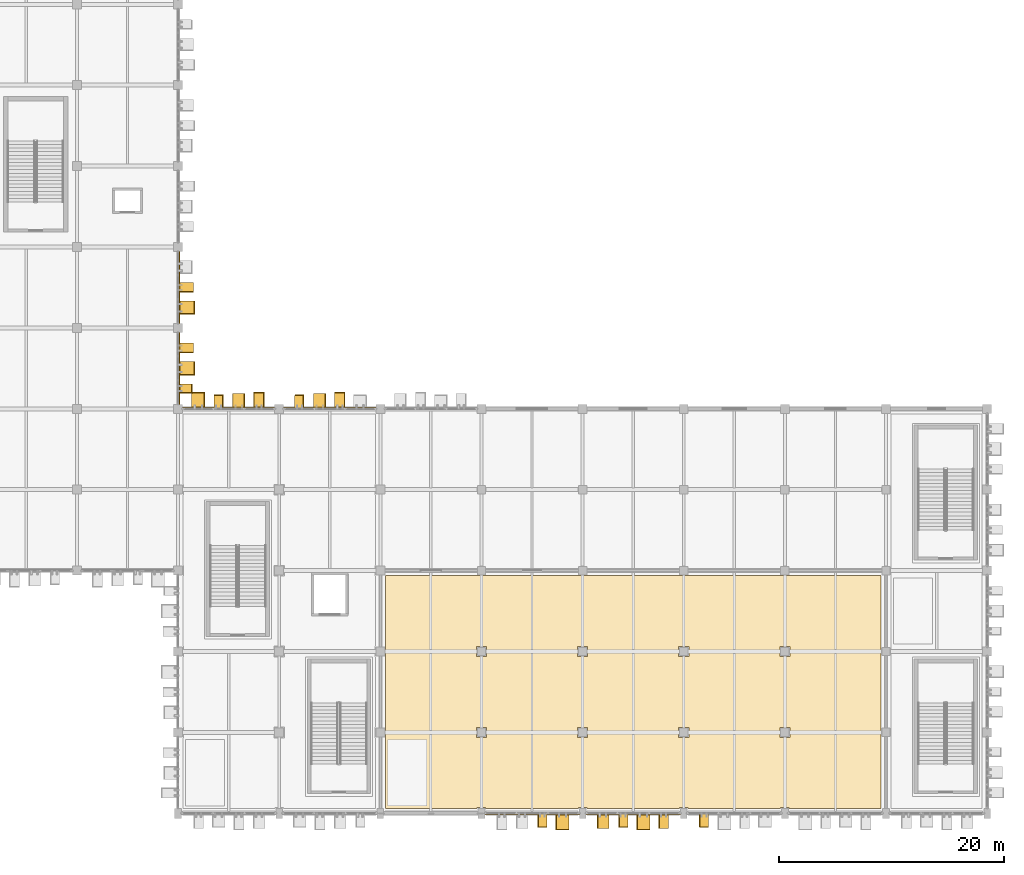
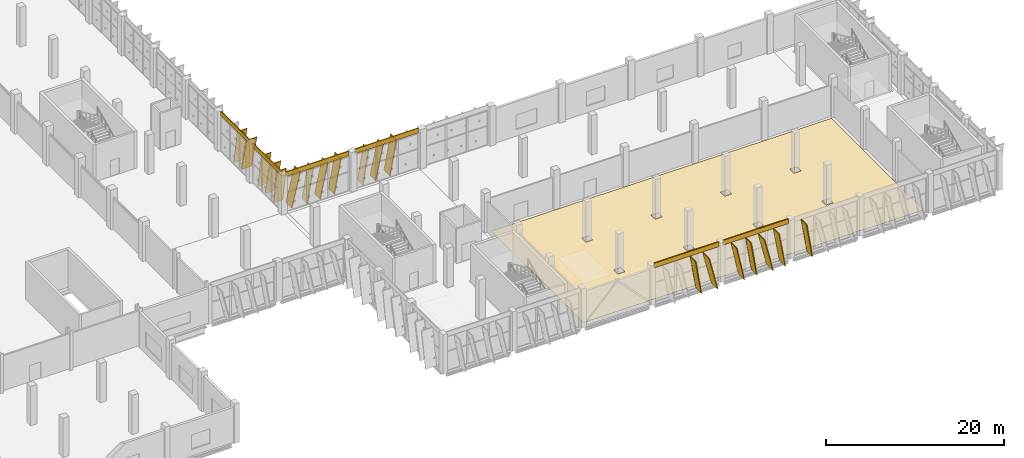
# One storey, part 118 of 137: 26 coverings, 19 shading devices.
"""IFC4 building model written with IfcOpenShell, lengths in metres."""

from ifc_helpers import new_model, si_unit, direction, frame, origin, origin_2d, place, context, subcontext, project, spatial, polyline, rectangle, outline, extrude, material, layer, layer_set, material_profile, profile_set, type_object, element, save


model = new_model("IFC4")

# Units and contexts
model_context = context("Model", 3, precision=1e-05, world=origin(), true_north=direction((0.0, 1.0)))
body_context = subcontext(model_context, "Body", "Model", "MODEL_VIEW")
ifc_project = project(units=[si_unit("LENGTHUNIT", "METRE"), si_unit("AREAUNIT", "SQUARE_METRE"), si_unit("VOLUMEUNIT", "CUBIC_METRE"), si_unit("PLANEANGLEUNIT", "RADIAN"), si_unit("MASSUNIT", "GRAM", prefix="KILO")], contexts=[model_context])

# Site, building, storey
site_placement = place(None, origin())
site = spatial("IfcSite", under=ifc_project, at=site_placement, CompositionType="ELEMENT")
building_placement = place(site_placement, origin())
building = spatial("IfcBuilding", under=site, at=building_placement, Name="Celestram Park Convention Centre", CompositionType="ELEMENT")
storey_placement = place(building_placement, origin())
storey = spatial("IfcBuildingStorey", under=building, at=storey_placement, Name="L00", CompositionType="ELEMENT", Elevation=0.0)

# Coverings
ifc_material_1 = material(Name="Anodised Bronze Aluminium Spandrel Cladding", Category="aluminium")
ifc_layer_1 = layer(ifc_material_1, 0.050048828125)
ifc_layer_set_1 = layer_set([ifc_layer_1], Name="Anodised Bronze Aluminium Spandrel Cladding")
covering_type_1 = type_object("IfcCoveringType", Name="ARC-COV-CLD060", PredefinedType="CLADDING", material=ifc_layer_set_1)
for number, where, z_axis, x_axis, name in (
    (1, (144.080078125, 46.800048828125, 4.840087890625), (0.0, 0.0, 1.0), (0.0, -1.0, 0.0), "Bronze spandrel cladding CL-L00-016"),
    (2, (144.080078125, 39.60009765625, 4.840087890625), (0.0, 0.0, 1.0), (0.0, -1.0, 0.0), "Bronze spandrel cladding CL-L00-017"),
):
    element("IfcCovering", number, at=place(storey_placement, frame(where, z_axis=z_axis, x_axis=x_axis)), inside=storey, type_object=covering_type_1, Name=name, PredefinedType="CLADDING", context=body_context, shape_type="SweptSolid", body=[
        extrude(rectangle(XDim=6.404052734375, YDim=0.1201171875, at=origin_2d()), origin(), (0.0, 0.0, 1.0), 0.56005859375),
    ])
for number, where, z_axis, x_axis, name in (
    (3, (148.5, 36.080078125, 4.76708984375), (0.0, 0.0, 1.0), (1.0, 0.0, 0.0), "Bronze spandrel cladding CL-L00-018"),
    (4, (157.5, 36.080078125, 4.76708984375), (0.0, 0.0, 1.0), (1.0, 0.0, 0.0), "Bronze spandrel cladding CL-L00-019"),
):
    element("IfcCovering", number, at=place(storey_placement, frame(where, z_axis=z_axis, x_axis=x_axis)), inside=storey, type_object=covering_type_1, Name=name, PredefinedType="CLADDING", context=body_context, shape_type="SweptSolid", body=[
        extrude(rectangle(XDim=8.2041015625, YDim=0.1201171875, at=origin_2d()), origin(), (0.0, 0.0, 1.0), 0.633056640625),
    ])
for number, where, z_axis, x_axis, name in (
    (5, (184.5, -0.080078125, 4.76708984375), (0.0, 0.0, 1.0), (-1.0, 0.0, 0.0), "Bronze spandrel cladding CL-L00-029"),
    (6, (175.5, -0.080078125, 4.76708984375), (0.0, 0.0, 1.0), (-1.0, 0.0, 0.0), "Bronze spandrel cladding CL-L00-030"),
):
    element("IfcCovering", number, at=place(storey_placement, frame(where, z_axis=z_axis, x_axis=x_axis)), inside=storey, type_object=covering_type_1, Name=name, PredefinedType="CLADDING", context=body_context, shape_type="SweptSolid", body=[
        extrude(rectangle(XDim=8.404052734375, YDim=0.1201171875, at=origin_2d()), origin(), (0.0, 0.0, 1.0), 0.633056640625),
    ])
ifc_material_2 = material(Name="Timber-Toned Anodised Aluminium Alloy 6063-T6", Category="wood")
ifc_material_profile_1 = material_profile(ifc_material_2, rectangle(XDim=1.1201171875, YDim=0.090087890625, at=origin_2d()), Name="REED1120X90")
ifc_profile_set_1 = profile_set([ifc_material_profile_1], Name="Timber-Toned Anodised Aluminium Alloy 6063-T6")
covering_type_2 = type_object("IfcCoveringType", Name="ARC-COV-FIN1120", PredefinedType="CLADDING", material=ifc_profile_set_1)
covering_1_placement = place(storey_placement, frame((144.639892578125, 38.1845703125, 0.035888671875), z_axis=(0.0, -0.159878683359, 0.987136670683), x_axis=(1.0, 0.0, 0.0)))
element("IfcCovering", 7, at=covering_1_placement, inside=storey, type_object=covering_type_2, Name="Leaning timber-toned reed fin RFN-L00-0055", PredefinedType="CLADDING", context=body_context, shape_type="SweptSolid", body=[
    extrude(rectangle(XDim=1.1201171875, YDim=0.090087890625, at=origin_2d()), origin(), (0.0, 0.0, 1.0), 4.81005859375),
])
for number, where, z_axis, x_axis, name in (
    (8, (147.22119140625, 36.639892578125, 0.035400390625), (0.159925930182, 0.0, 0.98712901733), (0.0, 1.0, 0.0), "Leaning timber-toned reed fin RFN-L00-0057"),
    (9, (154.42138671875, 36.639892578125, 0.035400390625), (0.159875708608, 0.0, 0.987137152475), (0.0, 1.0, 0.0), "Leaning timber-toned reed fin RFN-L00-0060"),
    (10, (191.1787109375, -0.639892578125, 0.035400390625), (-0.159875708608, 0.0, 0.987137152475), (0.0, -1.0, 0.0), "Leaning timber-toned reed fin RFN-L00-0094"),
    (11, (183.978759765625, -0.639892578125, 0.035400390625), (-0.159925930182, 0.0, 0.98712901733), (0.0, -1.0, 0.0), "Leaning timber-toned reed fin RFN-L00-0097"),
    (12, (176.77880859375, -0.639892578125, 0.035400390625), (-0.159925930182, 0.0, 0.98712901733), (0.0, -1.0, 0.0), "Leaning timber-toned reed fin RFN-L00-0100"),
):
    element("IfcCovering", number, at=place(storey_placement, frame(where, z_axis=z_axis, x_axis=x_axis)), inside=storey, type_object=covering_type_2, Name=name, PredefinedType="CLADDING", context=body_context, shape_type="SweptSolid", body=[
        extrude(rectangle(XDim=1.1201171875, YDim=0.090087890625, at=origin_2d()), origin(), (0.0, 0.0, 1.0), 4.737060546875),
    ])
ifc_material_profile_2 = material_profile(ifc_material_2, rectangle(XDim=1.280029296875, YDim=0.090087890625, at=origin_2d()), Name="REED1280X90")
ifc_profile_set_2 = profile_set([ifc_material_profile_2], Name="Timber-Toned Anodised Aluminium Alloy 6063-T6")
covering_type_3 = type_object("IfcCoveringType", Name="ARC-COV-FIN1280", PredefinedType="CLADDING", material=ifc_profile_set_2)
for number, where, z_axis, x_axis, name in (
    (13, (144.719970703125, 47.20947265625, 0.0400390625), (0.0, -0.170240052999, 0.985402620432), (1.0, 0.0, 0.0), "Leaning timber-toned reed fin RFN-L00-0051"),
    (14, (144.719970703125, 41.809326171875, 0.0400390625), (0.0, -0.170240052999, 0.985402620432), (1.0, 0.0, 0.0), "Leaning timber-toned reed fin RFN-L00-0053"),
):
    element("IfcCovering", number, at=place(storey_placement, frame(where, z_axis=z_axis, x_axis=x_axis)), inside=storey, type_object=covering_type_3, Name=name, PredefinedType="CLADDING", context=body_context, shape_type="SweptSolid", body=[
        extrude(rectangle(XDim=1.280029296875, YDim=0.090087890625, at=origin_2d()), origin(), (0.0, 0.0, 1.0), 4.81005859375),
    ])
for number, where, z_axis, x_axis, name in (
    (15, (148.903564453125, 36.719970703125, 0.0576171875), (0.209606521321, 0.0, 0.977785818173), (0.0, 1.0, 0.0), "Leaning timber-toned reed fin RFN-L00-0058"),
    (16, (156.103515625, 36.719970703125, 0.0576171875), (0.209606521321, 0.0, 0.977785818173), (0.0, 1.0, 0.0), "Leaning timber-toned reed fin RFN-L00-0061"),
    (17, (187.60302734375, -0.719970703125, 0.03955078125), (-0.170179599003, 0.0, 0.985413062671), (0.0, -1.0, 0.0), "Leaning timber-toned reed fin RFN-L00-0095"),
    (18, (182.29638671875, -0.719970703125, 0.0576171875), (-0.209606521321, 0.0, 0.977785818173), (0.0, -1.0, 0.0), "Leaning timber-toned reed fin RFN-L00-0098"),
):
    element("IfcCovering", number, at=place(storey_placement, frame(where, z_axis=z_axis, x_axis=x_axis)), inside=storey, type_object=covering_type_3, Name=name, PredefinedType="CLADDING", context=body_context, shape_type="SweptSolid", body=[
        extrude(rectangle(XDim=1.280029296875, YDim=0.090087890625, at=origin_2d()), origin(), (0.0, 0.0, 1.0), 4.737060546875),
    ])
ifc_material_profile_3 = material_profile(ifc_material_2, rectangle(XDim=1.419921875, YDim=0.090087890625, at=origin_2d()), Name="REED1420X90")
ifc_profile_set_3 = profile_set([ifc_material_profile_3], Name="Timber-Toned Anodised Aluminium Alloy 6063-T6")
covering_type_4 = type_object("IfcCoveringType", Name="ARC-COV-FIN1420", PredefinedType="CLADDING", material=ifc_profile_set_3)
for number, where, z_axis, x_axis, name in (
    (19, (144.7900390625, 45.57373046875, 0.074462890625), (0.0, -0.238556647816, 0.971128583547), (1.0, 0.0, 0.0), "Leaning timber-toned reed fin RFN-L00-0052"),
    (20, (144.7900390625, 40.173583984375, 0.074462890625), (0.0, -0.238508778742, 0.971140341281), (1.0, 0.0, 0.0), "Leaning timber-toned reed fin RFN-L00-0054"),
):
    element("IfcCovering", number, at=place(storey_placement, frame(where, z_axis=z_axis, x_axis=x_axis)), inside=storey, type_object=covering_type_4, Name=name, PredefinedType="CLADDING", context=body_context, shape_type="SweptSolid", body=[
        extrude(rectangle(XDim=1.419921875, YDim=0.090087890625, at=origin_2d()), origin(), (0.0, 0.0, 1.0), 4.81005859375),
    ])
covering_2_placement = place(storey_placement, frame((145.235107421875, 36.7900390625, 0.073486328125), z_axis=(0.238531557545, 0.0, 0.971134746601), x_axis=(0.0, 1.0, 0.0)))
element("IfcCovering", 21, at=covering_2_placement, inside=storey, type_object=covering_type_4, Name="Leaning timber-toned reed fin RFN-L00-0056", PredefinedType="CLADDING", context=body_context, shape_type="SweptSolid", body=[
    extrude(rectangle(XDim=1.419921875, YDim=0.090087890625, at=origin_2d()), origin(), (0.0, 0.0, 1.0), 4.73681640625),
])
for number, where, z_axis, x_axis, name in (
    (22, (150.7724609375, 36.7900390625, 0.0439453125), (0.180540613043, 0.0, 0.983567530494), (0.0, 1.0, 0.0), "Leaning timber-toned reed fin RFN-L00-0059"),
    (23, (157.972412109375, 36.7900390625, 0.0439453125), (0.180540613043, 0.0, 0.983567530494), (0.0, 1.0, 0.0), "Leaning timber-toned reed fin RFN-L00-0062"),
):
    element("IfcCovering", number, at=place(storey_placement, frame(where, z_axis=z_axis, x_axis=x_axis)), inside=storey, type_object=covering_type_4, Name=name, PredefinedType="CLADDING", context=body_context, shape_type="SweptSolid", body=[
        extrude(rectangle(XDim=1.419921875, YDim=0.090087890625, at=origin_2d()), origin(), (0.0, 0.0, 1.0), 4.737060546875),
    ])
for number, where, z_axis, x_axis, name in (
    (24, (185.965087890625, -0.7900390625, 0.073486328125), (-0.238580165066, 0.0, 0.971122806259), (0.0, -1.0, 0.0), "Leaning timber-toned reed fin RFN-L00-0096"),
    (25, (178.764892578125, -0.7900390625, 0.073486328125), (-0.238531557545, 0.0, 0.971134746601), (0.0, -1.0, 0.0), "Leaning timber-toned reed fin RFN-L00-0099"),
):
    element("IfcCovering", number, at=place(storey_placement, frame(where, z_axis=z_axis, x_axis=x_axis)), inside=storey, type_object=covering_type_4, Name=name, PredefinedType="CLADDING", context=body_context, shape_type="SweptSolid", body=[
        extrude(rectangle(XDim=1.419921875, YDim=0.090087890625, at=origin_2d()), origin(), (0.0, 0.0, 1.0), 4.73681640625),
    ])
ifc_material_3 = material(Name="Polished Lakefront Aggregate Terrazzo Flooring", Category="concrete")
ifc_layer_2 = layer(ifc_material_3, 0.02001953125)
ifc_layer_set_2 = layer_set([ifc_layer_2], Name="Polished Lakefront Aggregate Terrazzo Flooring")
covering_type_5 = type_object("IfcCoveringType", Name="ARC-COV-FLR020", PredefinedType="FLOORING", material=ifc_layer_set_2)
covering_3_placement = place(storey_placement, origin())
element("IfcCovering", 26, at=covering_3_placement, inside=storey, type_object=covering_type_5, Name="Civic Symposium Hall S1 terrazzo flooring", PredefinedType="FLOORING", context=body_context, shape_type="SweptSolid", body=[
    extrude(outline(polyline([(170.547119140625, 21.14990234375), (170.547119140625, 21.14697265625), (171.452880859375, 21.14697265625), (171.452880859375, 21.14990234375), (179.547119140625, 21.14990234375), (179.547119140625, 21.14697265625), (180.452880859375, 21.14697265625), (180.452880859375, 21.14990234375), (188.547119140625, 21.14990234375), (188.547119140625, 21.14697265625), (189.452880859375, 21.14697265625), (189.452880859375, 21.14990234375), (197.547119140625, 21.14990234375), (197.547119140625, 21.14697265625), (198.452880859375, 21.14697265625), (198.452880859375, 21.14990234375), (206.547119140625, 21.14990234375), (206.547119140625, 21.14697265625), (206.550048828125, 21.14697265625), (206.550048828125, 14.85302734375), (206.547119140625, 14.85302734375), (206.547119140625, 13.947021484375), (206.550048828125, 13.947021484375), (206.550048828125, 7.653076171875), (206.547119140625, 7.653076171875), (206.547119140625, 6.7470703125), (206.550048828125, 6.7470703125), (206.550048828125, 0.449951171875), (198.3779296875, 0.449951171875), (198.3779296875, 0.528076171875), (197.6220703125, 0.528076171875), (197.6220703125, 0.449951171875), (189.3779296875, 0.449951171875), (189.3779296875, 0.528076171875), (188.6220703125, 0.528076171875), (188.6220703125, 0.449951171875), (180.3779296875, 0.449951171875), (180.3779296875, 0.528076171875), (179.6220703125, 0.528076171875), (179.6220703125, 0.449951171875), (171.3779296875, 0.449951171875), (171.3779296875, 0.528076171875), (170.6220703125, 0.528076171875), (170.6220703125, 0.449951171875), (162.449951171875, 0.449951171875), (162.449951171875, 6.721923828125), (162.47802734375, 6.721923828125), (162.47802734375, 7.677978515625), (162.449951171875, 7.677978515625), (162.449951171875, 13.922119140625), (162.47802734375, 13.922119140625), (162.47802734375, 14.8779296875), (162.449951171875, 14.8779296875), (162.449951171875, 21.1220703125), (162.47802734375, 21.1220703125), (162.47802734375, 21.14990234375), (170.547119140625, 21.14990234375)]), holes=[polyline([(180.452880859375, 6.7470703125), (180.452880859375, 7.653076171875), (179.547119140625, 7.653076171875), (179.547119140625, 6.7470703125), (180.452880859375, 6.7470703125)]), polyline([(171.452880859375, 7.653076171875), (170.547119140625, 7.653076171875), (170.547119140625, 6.7470703125), (171.452880859375, 6.7470703125), (171.452880859375, 7.653076171875)]), polyline([(180.452880859375, 13.947021484375), (180.452880859375, 14.85302734375), (179.547119140625, 14.85302734375), (179.547119140625, 13.947021484375), (180.452880859375, 13.947021484375)]), polyline([(171.452880859375, 13.947021484375), (171.452880859375, 14.85302734375), (170.547119140625, 14.85302734375), (170.547119140625, 13.947021484375), (171.452880859375, 13.947021484375)]), polyline([(189.452880859375, 6.7470703125), (189.452880859375, 7.653076171875), (188.547119140625, 7.653076171875), (188.547119140625, 6.7470703125), (189.452880859375, 6.7470703125)]), polyline([(198.452880859375, 6.7470703125), (198.452880859375, 7.653076171875), (197.547119140625, 7.653076171875), (197.547119140625, 6.7470703125), (198.452880859375, 6.7470703125)]), polyline([(189.452880859375, 13.947021484375), (189.452880859375, 14.85302734375), (188.547119140625, 14.85302734375), (188.547119140625, 13.947021484375), (189.452880859375, 13.947021484375)]), polyline([(198.452880859375, 13.947021484375), (198.452880859375, 14.85302734375), (197.547119140625, 14.85302734375), (197.547119140625, 13.947021484375), (198.452880859375, 13.947021484375)])]), origin(), (0.0, 0.0, 1.0), 0.02001953125),
])

# Shading devices
ifc_material_4 = material(Name="Anodised Bronze Aluminium Alloy 6063-T6", Category="aluminium")
ifc_material_profile_4 = material_profile(ifc_material_4, rectangle(XDim=1.280029296875, YDim=0.080078125, at=origin_2d()), Name="FIN1280X80")
ifc_profile_set_4 = profile_set([ifc_material_profile_4], Name="Anodised Bronze Aluminium Alloy 6063-T6")
shading_device_type = type_object("IfcShadingDeviceType", Name="ARC-FIN-BZ1280", PredefinedType="USERDEFINED", material=ifc_profile_set_4)
for number, where, z_axis, x_axis, name in (
    (27, (144.719970703125, 47.20947265625, 0.0400390625), (0.0, -0.170240052999, 0.985402620432), (1.0, 0.0, 0.0), "Expressive solar fin FN-L00-0051"),
    (28, (144.7900390625, 45.57373046875, 0.074462890625), (0.0, -0.238556647816, 0.971128583547), (1.0, 0.0, 0.0), "Expressive solar fin FN-L00-0052"),
    (29, (144.719970703125, 41.809326171875, 0.0400390625), (0.0, -0.170240052999, 0.985402620432), (1.0, 0.0, 0.0), "Expressive solar fin FN-L00-0053"),
    (30, (144.7900390625, 40.173583984375, 0.074462890625), (0.0, -0.238508778742, 0.971140341281), (1.0, 0.0, 0.0), "Expressive solar fin FN-L00-0054"),
    (31, (144.639892578125, 38.1845703125, 0.035888671875), (0.0, -0.159878683359, 0.987136670683), (1.0, 0.0, 0.0), "Expressive solar fin FN-L00-0055"),
):
    element("IfcShadingDevice", number, at=place(storey_placement, frame(where, z_axis=z_axis, x_axis=x_axis)), inside=storey, type_object=shading_device_type, Name=name, ObjectType="SOLAR_FIN", PredefinedType="USERDEFINED", context=body_context, shape_type="SweptSolid", body=[
        extrude(rectangle(XDim=1.280029296875, YDim=0.080078125, at=origin_2d()), origin(), (0.0, 0.0, 1.0), 4.81005859375),
    ])
shading_device_1_placement = place(storey_placement, frame((145.235107421875, 36.7900390625, 0.073486328125), z_axis=(0.238531557545, 0.0, 0.971134746601), x_axis=(0.0, 1.0, 0.0)))
element("IfcShadingDevice", 32, at=shading_device_1_placement, inside=storey, type_object=shading_device_type, Name="Expressive solar fin FN-L00-0056", ObjectType="SOLAR_FIN", PredefinedType="USERDEFINED", context=body_context, shape_type="SweptSolid", body=[
    extrude(rectangle(XDim=1.280029296875, YDim=0.080078125, at=origin_2d()), origin(), (0.0, 0.0, 1.0), 4.73681640625),
])
for number, where, z_axis, x_axis, name in (
    (33, (147.22119140625, 36.639892578125, 0.035400390625), (0.159925930182, 0.0, 0.98712901733), (0.0, 1.0, 0.0), "Expressive solar fin FN-L00-0057"),
    (34, (148.903564453125, 36.719970703125, 0.0576171875), (0.209606521321, 0.0, 0.977785818173), (0.0, 1.0, 0.0), "Expressive solar fin FN-L00-0058"),
    (35, (150.7724609375, 36.7900390625, 0.0439453125), (0.180540613043, 0.0, 0.983567530494), (0.0, 1.0, 0.0), "Expressive solar fin FN-L00-0059"),
    (36, (154.42138671875, 36.639892578125, 0.035400390625), (0.159875708608, 0.0, 0.987137152475), (0.0, 1.0, 0.0), "Expressive solar fin FN-L00-0060"),
    (37, (156.103515625, 36.719970703125, 0.0576171875), (0.209606521321, 0.0, 0.977785818173), (0.0, 1.0, 0.0), "Expressive solar fin FN-L00-0061"),
    (38, (157.972412109375, 36.7900390625, 0.0439453125), (0.180540613043, 0.0, 0.983567530494), (0.0, 1.0, 0.0), "Expressive solar fin FN-L00-0062"),
    (39, (191.1787109375, -0.639892578125, 0.035400390625), (-0.159875708608, 0.0, 0.987137152475), (0.0, -1.0, 0.0), "Expressive solar fin FN-L00-0094"),
    (40, (187.60302734375, -0.719970703125, 0.03955078125), (-0.170179599003, 0.0, 0.985413062671), (0.0, -1.0, 0.0), "Expressive solar fin FN-L00-0095"),
):
    element("IfcShadingDevice", number, at=place(storey_placement, frame(where, z_axis=z_axis, x_axis=x_axis)), inside=storey, type_object=shading_device_type, Name=name, ObjectType="SOLAR_FIN", PredefinedType="USERDEFINED", context=body_context, shape_type="SweptSolid", body=[
        extrude(rectangle(XDim=1.280029296875, YDim=0.080078125, at=origin_2d()), origin(), (0.0, 0.0, 1.0), 4.737060546875),
    ])
shading_device_2_placement = place(storey_placement, frame((185.965087890625, -0.7900390625, 0.073486328125), z_axis=(-0.238580165066, 0.0, 0.971122806259), x_axis=(0.0, -1.0, 0.0)))
element("IfcShadingDevice", 41, at=shading_device_2_placement, inside=storey, type_object=shading_device_type, Name="Expressive solar fin FN-L00-0096", ObjectType="SOLAR_FIN", PredefinedType="USERDEFINED", context=body_context, shape_type="SweptSolid", body=[
    extrude(rectangle(XDim=1.280029296875, YDim=0.080078125, at=origin_2d()), origin(), (0.0, 0.0, 1.0), 4.73681640625),
])
for number, where, z_axis, x_axis, name in (
    (42, (183.978759765625, -0.639892578125, 0.035400390625), (-0.159925930182, 0.0, 0.98712901733), (0.0, -1.0, 0.0), "Expressive solar fin FN-L00-0097"),
    (43, (182.29638671875, -0.719970703125, 0.0576171875), (-0.209606521321, 0.0, 0.977785818173), (0.0, -1.0, 0.0), "Expressive solar fin FN-L00-0098"),
):
    element("IfcShadingDevice", number, at=place(storey_placement, frame(where, z_axis=z_axis, x_axis=x_axis)), inside=storey, type_object=shading_device_type, Name=name, ObjectType="SOLAR_FIN", PredefinedType="USERDEFINED", context=body_context, shape_type="SweptSolid", body=[
        extrude(rectangle(XDim=1.280029296875, YDim=0.080078125, at=origin_2d()), origin(), (0.0, 0.0, 1.0), 4.737060546875),
    ])
shading_device_3_placement = place(storey_placement, frame((178.764892578125, -0.7900390625, 0.073486328125), z_axis=(-0.238531557545, 0.0, 0.971134746601), x_axis=(0.0, -1.0, 0.0)))
element("IfcShadingDevice", 44, at=shading_device_3_placement, inside=storey, type_object=shading_device_type, Name="Expressive solar fin FN-L00-0099", ObjectType="SOLAR_FIN", PredefinedType="USERDEFINED", context=body_context, shape_type="SweptSolid", body=[
    extrude(rectangle(XDim=1.280029296875, YDim=0.080078125, at=origin_2d()), origin(), (0.0, 0.0, 1.0), 4.73681640625),
])
shading_device_4_placement = place(storey_placement, frame((176.77880859375, -0.639892578125, 0.035400390625), z_axis=(-0.159925930182, 0.0, 0.98712901733), x_axis=(0.0, -1.0, 0.0)))
element("IfcShadingDevice", 45, at=shading_device_4_placement, inside=storey, type_object=shading_device_type, Name="Expressive solar fin FN-L00-0100", ObjectType="SOLAR_FIN", PredefinedType="USERDEFINED", context=body_context, shape_type="SweptSolid", body=[
    extrude(rectangle(XDim=1.280029296875, YDim=0.080078125, at=origin_2d()), origin(), (0.0, 0.0, 1.0), 4.737060546875),
])

save(model, "model.ifc")
